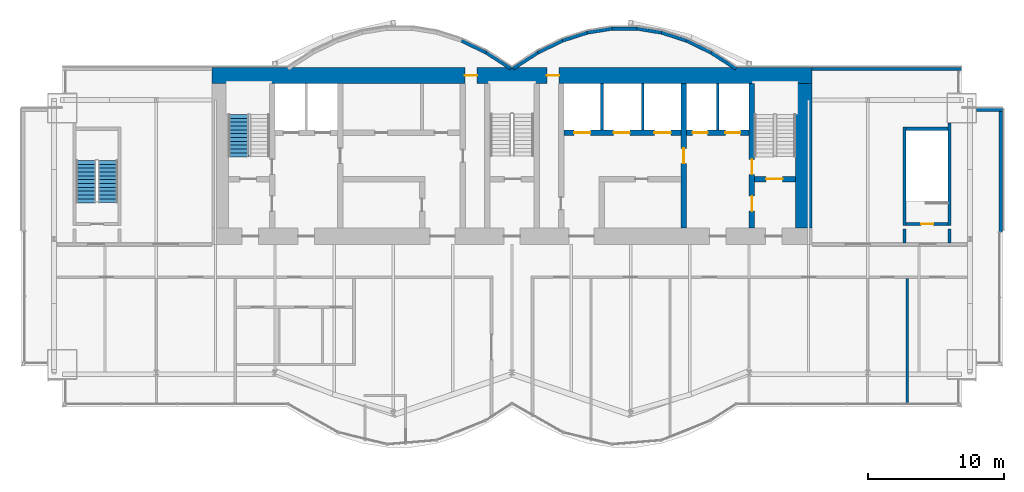
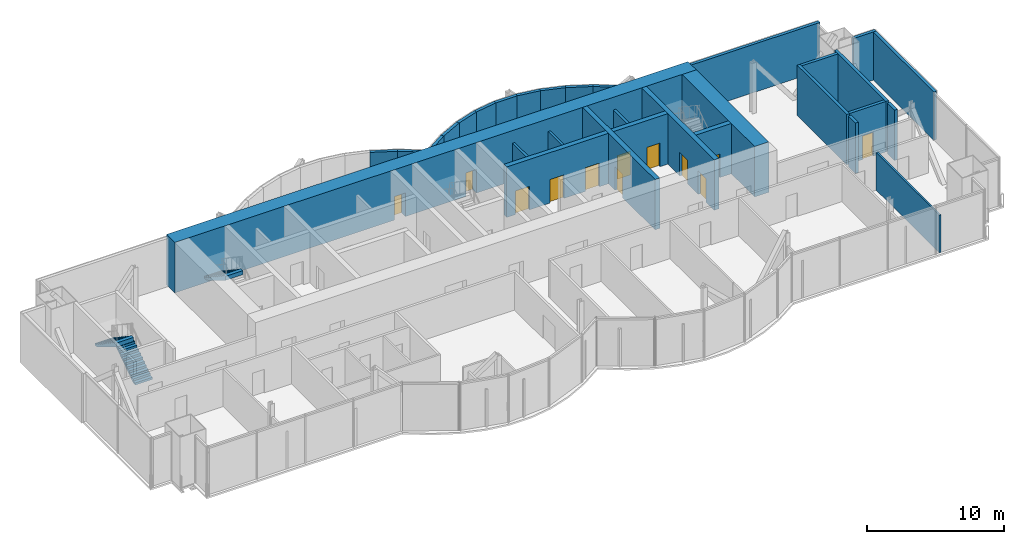
# One storey, part 12 of 16: 30 walls, 12 doors, 3 stair flights, 12 openings, 2 elements without a shape of their own.
"""IFC4 building model written with IfcOpenShell, lengths in metres."""

import ifcopenshell
import ifcopenshell.guid

model = None  # the IFC model being written
_history = None  # IfcOwnerHistory: only IFC2X3 demands one
_inside = {}  # id of a spatial element -> (the spatial element, [elements in it])
_under = {}  # id of a project, library or spatial element -> (it, [spatial elements below it])
_declared = {}  # id of a project -> (the project, [libraries it declares])
_typed = {}  # id of a type object -> (the type object, [elements of that type])
_made_of = {}  # id of a material, layer set ... -> (it, [elements and type objects made of it])


def new_model(schema):
    """Start an empty IFC model of exactly this schema.

    Asked for "IFC4X3", IfcOpenShell would pick the latest addendum, in which some entities
    have other attributes; the version numbers below select the first issue.
    IFC2X3 requires an IfcOwnerHistory on every rooted entity: one is made here for all.
    """
    global model, _history
    if schema == "IFC4X3":
        model = ifcopenshell.file(schema_version=(4, 3, 0, 0))
    else:
        model = ifcopenshell.file(schema=schema)
    _inside.clear()
    _under.clear()
    _declared.clear()
    _typed.clear()
    _made_of.clear()
    _history = None
    if model.schema == "IFC2X3":
        org = make("IfcOrganization", Name="unknown")
        user = make(
            "IfcPersonAndOrganization",
            ThePerson=make("IfcPerson", FamilyName="unknown"),
            TheOrganization=org,
        )
        app = make(
            "IfcApplication",
            ApplicationDeveloper=org,
            Version="unknown",
            ApplicationFullName="unknown",
            ApplicationIdentifier="unknown",
        )
        _history = make(
            "IfcOwnerHistory",
            OwningUser=user,
            OwningApplication=app,
            ChangeAction="ADDED",
            CreationDate=0,
        )
    return model


def make(cls, **values):
    """One entity of the class cls with the attributes given. An attribute that is None is left unset."""
    return model.create_entity(
        cls, **{name: value for name, value in values.items() if value is not None}
    )


def rooted(cls, **values):
    """An entity with a GlobalId (a new one), such as an element, a storey or a relation."""
    return make(cls, GlobalId=ifcopenshell.guid.new(), OwnerHistory=_history, **values)


def si_unit(unit_type, name, prefix=None):
    """IfcSIUnit, for example si_unit("LENGTHUNIT", "METRE", prefix="MILLI")."""
    return make("IfcSIUnit", UnitType=unit_type, Prefix=prefix, Name=name)


def assignment(units):
    """IfcUnitAssignment: the units of a project."""
    return None if units is None else make("IfcUnitAssignment", Units=units)


def point(xyz):
    """IfcCartesianPoint."""
    return None if xyz is None else make("IfcCartesianPoint", Coordinates=xyz)


def direction(xyz):
    """IfcDirection."""
    return None if xyz is None else make("IfcDirection", DirectionRatios=xyz)


def frame(location, z_axis=None, x_axis=None):
    """IfcAxis2Placement3D, a coordinate frame: its origin and axes. An axis left out is left unset."""
    return make(
        "IfcAxis2Placement3D",
        Location=point(location),
        Axis=direction(z_axis),
        RefDirection=direction(x_axis),
    )


def frame_2d(location, x_axis=None):
    """IfcAxis2Placement2D, a coordinate frame in the plane: its origin and x axis."""
    return make(
        "IfcAxis2Placement2D", Location=point(location), RefDirection=direction(x_axis)
    )


def origin():
    """The frame at (0, 0, 0) with its axes left unset."""
    return frame((0.0, 0.0, 0.0))


def place(relative_to, where):
    """IfcLocalPlacement: puts the frame where relative to a parent placement (None: the world)."""
    return make(
        "IfcLocalPlacement", PlacementRelTo=relative_to, RelativePlacement=where
    )


def context(
    kind, dimensions, precision=None, world=None, true_north=None, identifier=None
):
    """IfcGeometricRepresentationContext, for example the 3D "Model" context."""
    return make(
        "IfcGeometricRepresentationContext",
        ContextIdentifier=identifier,
        ContextType=kind,
        CoordinateSpaceDimension=dimensions,
        Precision=precision,
        WorldCoordinateSystem=world,
        TrueNorth=true_north,
    )


def subcontext(parent, identifier, kind, view, scale=None):
    """IfcGeometricRepresentationSubContext, for example "Body" below "Model"."""
    return make(
        "IfcGeometricRepresentationSubContext",
        ContextIdentifier=identifier,
        ContextType=kind,
        ParentContext=parent,
        TargetScale=scale,
        TargetView=view,
    )


def project(units=None, contexts=None):
    """IfcProject with its units and contexts."""
    return rooted(
        "IfcProject",
        Name="project",
        RepresentationContexts=contexts,
        UnitsInContext=assignment(units),
    )


def spatial(cls, under=None, at=None, **own):
    """A site, building, storey or space (cls), placed at a placement, below another one or the project."""
    s = rooted(cls, ObjectPlacement=at, **own)
    if under is not None:
        _under.setdefault(under.id(), (under, []))[1].append(s)
    return s


def polyline(points):
    """IfcPolyline through the points."""
    return make("IfcPolyline", Points=[point(p) for p in points])


def profile(cls, at=None, kind="AREA", **sizes):
    """A parametric profile (cls). Its sizes go by their IFC names, for example OverallWidth=200.0."""
    return make(cls, ProfileType=kind, Position=at, **sizes)


def rectangle(**sizes):
    """IfcRectangleProfileDef."""
    return profile("IfcRectangleProfileDef", **sizes)


def outline(outer, holes=None, kind="AREA"):
    """IfcArbitraryClosedProfileDef: a profile drawn as a closed curve; with holes, ...WithVoids."""
    if holes is None:
        return make("IfcArbitraryClosedProfileDef", ProfileType=kind, OuterCurve=outer)
    return make(
        "IfcArbitraryProfileDefWithVoids",
        ProfileType=kind,
        OuterCurve=outer,
        InnerCurves=holes,
    )


def extrude(swept, where, along, depth):
    """IfcExtrudedAreaSolid: the profile swept, set in the frame where, extruded along a direction by depth."""
    return make(
        "IfcExtrudedAreaSolid",
        SweptArea=swept,
        Position=where,
        ExtrudedDirection=direction(along),
        Depth=depth,
    )


def shape(context_of_items, identifier, shape_type, items):
    """IfcShapeRepresentation: the items that make up one representation, for example the "Body"."""
    return make(
        "IfcShapeRepresentation",
        ContextOfItems=context_of_items,
        RepresentationIdentifier=identifier,
        RepresentationType=shape_type,
        Items=items,
    )


def material(Name=None, Category=None):
    """IfcMaterial."""
    return make("IfcMaterial", Name=Name, Category=Category)


def layer(
    of_material, thickness, ventilated=None, Name=None, Category=None, Priority=None
):
    """IfcMaterialLayer: one layer of a wall or slab, of a material (None: an air gap)."""
    return make(
        "IfcMaterialLayer",
        Material=of_material,
        LayerThickness=thickness,
        IsVentilated=ventilated,
        Name=Name,
        Category=Category,
        Priority=Priority,
    )


def layer_set(layers, Name=None):
    """IfcMaterialLayerSet."""
    return make("IfcMaterialLayerSet", MaterialLayers=layers, LayerSetName=Name)


def layer_usage(for_layer_set, set_direction, sense, offset, extent=None):
    """IfcMaterialLayerSetUsage: how a layer set lies in its element."""
    return make(
        "IfcMaterialLayerSetUsage",
        ForLayerSet=for_layer_set,
        LayerSetDirection=set_direction,
        DirectionSense=sense,
        OffsetFromReferenceLine=offset,
        ReferenceExtent=extent,
    )


def made_of(thing, what):
    """Note that an element or type object is made of a material, layer set ...; save() writes the relation."""
    if what is not None:
        _made_of.setdefault(what.id(), (what, []))[1].append(thing)
    return thing


def type_object(cls, material=None, **own):
    """A type object (cls), such as IfcWallType, which elements share."""
    return made_of(rooted(cls, **own), material)


def element(
    cls,
    number,
    at=None,
    inside=None,
    cuts=None,
    type_object=None,
    material=None,
    context=None,
    identifier="Body",
    shape_type=None,
    held_by="IfcProductDefinitionShape",
    body=None,
    shapes=None,
    **own,
):
    """One element of the class cls, such as IfcWall. Its Tag is "e" and its number.

    at: its placement. inside: the storey or other place that contains it. cuts: it is an
    opening in that element (IfcRelVoidsElement). A single representation is given by context,
    identifier, shape_type and body (its items); several are given by shapes. held_by: the class
    of the entity that holds the representations. save() writes the other relations.
    """
    e = rooted(cls, Tag="e%d" % number, ObjectPlacement=at, **own)
    if body is not None:
        shapes = [shape(context, identifier, shape_type, body)]
    if shapes is not None:
        e.Representation = make(held_by, Representations=shapes)
    if inside is not None:
        _inside.setdefault(inside.id(), (inside, []))[1].append(e)
    if cuts is not None:
        rooted(
            "IfcRelVoidsElement", RelatingBuildingElement=cuts, RelatedOpeningElement=e
        )
    if type_object is not None:
        _typed.setdefault(type_object.id(), (type_object, []))[1].append(e)
    return made_of(e, material)


def fill(opening, filler):
    """IfcRelFillsElement: the door or window that sits in an opening."""
    return rooted(
        "IfcRelFillsElement",
        RelatingOpeningElement=opening,
        RelatedBuildingElement=filler,
    )


def aggregate(whole, parts):
    """IfcRelAggregates: a whole, such as a stair, and the parts it consists of."""
    return rooted("IfcRelAggregates", RelatingObject=whole, RelatedObjects=parts)


def save(model, path):
    """Write the relations noted so far, then the file.

    IfcRelAggregates (storeys below a building ...), IfcRelContainedInSpatialStructure (elements
    in a storey), IfcRelDefinesByType, IfcRelAssociatesMaterial and IfcRelDeclares: one each for
    every whole, place, type object, material and project.
    """
    for whole, parts in _under.values():
        aggregate(whole, parts)
    for where, things in _inside.values():
        rooted(
            "IfcRelContainedInSpatialStructure",
            RelatedElements=things,
            RelatingStructure=where,
        )
    for kind, things in _typed.values():
        rooted("IfcRelDefinesByType", RelatedObjects=things, RelatingType=kind)
    for what, things in _made_of.values():
        rooted("IfcRelAssociatesMaterial", RelatedObjects=things, RelatingMaterial=what)
    for by, libraries in _declared.values():
        rooted("IfcRelDeclares", RelatingContext=by, RelatedDefinitions=libraries)
    model.write(path)


model = new_model("IFC4")

# Units and contexts
model_context = context("Model", 3, precision=1e-05, world=origin(), true_north=direction((0.0, 1.0)))
body_context = subcontext(model_context, "Body", "Model", "MODEL_VIEW")
ifc_project = project(units=[si_unit("LENGTHUNIT", "METRE"), si_unit("AREAUNIT", "SQUARE_METRE"), si_unit("VOLUMEUNIT", "CUBIC_METRE"), si_unit("PLANEANGLEUNIT", "RADIAN"), si_unit("MASSUNIT", "GRAM", prefix="KILO")], contexts=[model_context])

# Site, building, storey
site_placement = place(None, origin())
site = spatial("IfcSite", under=ifc_project, at=site_placement, CompositionType="ELEMENT")
building_placement = place(site_placement, origin())
building = spatial("IfcBuilding", under=site, at=building_placement, Name="Bicima Exchange Tower", CompositionType="ELEMENT")
storey_placement = place(building_placement, frame((0.0, 0.0, 338.0)))
storey = spatial("IfcBuildingStorey", under=building, at=storey_placement, Name="L76", CompositionType="ELEMENT", Elevation=338.0)

# Walls
ifc_material_1 = material(Name="Gypsum board partition")
ifc_layer_1 = layer(ifc_material_1, 0.199951171875)
ifc_layer_set_1 = layer_set([ifc_layer_1], Name="Gypsum board partition")
wall_type_1 = type_object("IfcWallType", Name="Fire-rated gypsum partition 200 EI120", PredefinedType="PARTITIONING", material=ifc_layer_set_1)
for number, where, z_axis, x_axis, name in (
    (1, (6.60009765625, -4.60009765625, 0.0), (0.0, 0.0, 1.0), (0.0, 1.0, 0.0), "partition wall 18"),
    (2, (9.60009765625, -4.60009765625, 0.0), (0.0, 0.0, 1.0), (0.0, 1.0, 0.0), "partition wall 19"),
    (3, (15.10009765625, -4.60009765625, 0.0), (0.0, 0.0, 1.0), (0.0, 1.0, 0.0), "partition wall 21"),
):
    element("IfcWall", number, at=place(storey_placement, frame(where, z_axis=z_axis, x_axis=x_axis)), inside=storey, type_object=wall_type_1, Name=name, PredefinedType="PARTITIONING", context=body_context, shape_type="SweptSolid", body=[
        extrude(rectangle(XDim=3.400146484375, YDim=0.199951171875, at=frame_2d((1.7001953125, 0.0))), origin(), (0.0, 0.0, 1.0), 3.3681640625),
    ])
ifc_layer_2 = layer(ifc_material_1, 0.14990234375)
ifc_layer_set_2 = layer_set([ifc_layer_2], Name="Gypsum board partition")
wall_type_2 = type_object("IfcWallType", Name="Gypsum partition 150", PredefinedType="PARTITIONING", material=ifc_layer_set_2)
wall_1_placement = place(storey_placement, frame((29.0, -24.7099609375, 0.0), z_axis=(0.0, 0.0, 1.0), x_axis=(0.0, 1.0, 0.0)))
element("IfcWall", 4, at=wall_1_placement, inside=storey, type_object=wall_type_2, Name="partition wall 30", PredefinedType="PARTITIONING", context=body_context, shape_type="SweptSolid", body=[
    extrude(rectangle(XDim=9.2099609375, YDim=0.14990234375, at=frame_2d((4.60498046875, 0.0))), origin(), (0.0, 0.0, 1.0), 3.3681640625),
])

# Wall, openings, doors
ifc_material_2 = material(Name="Concrete C40/50", Category="concrete")
ifc_layer_3 = layer(ifc_material_2, 1.199951171875)
ifc_layer_set_3 = layer_set([ifc_layer_3], Name="Concrete C40/50")
wall_type_3 = type_object("IfcWallType", Name="RC core wall 1200 C40/50", PredefinedType="SHEAR", material=ifc_layer_set_3)
wall_2_placement = place(storey_placement, frame((-22.0, -0.60009765625, 0.0), z_axis=(0.0, 0.0, 1.0), x_axis=(1.0, 0.0, 0.0)))
wall_2 = element("IfcWall", 5, at=wall_2_placement, inside=storey, type_object=wall_type_3, Name="Core wall north", PredefinedType="SHEAR", context=body_context, shape_type="SweptSolid", body=[
    extrude(rectangle(XDim=44.0, YDim=1.199951171875, at=frame_2d((22.0, 0.0))), origin(), (0.0, 0.0, 1.0), 4.5),
])
opening_1_placement = place(wall_2_placement, frame((18.550048828125, 0.0, 0.0)))
opening_1 = element("IfcOpeningElement", 6, at=opening_1_placement, cuts=wall_2, Name="Opening L76-C16", PredefinedType="OPENING", context=body_context, shape_type="SweptSolid", body=[
    extrude(rectangle(XDim=0.89990234375, YDim=2.10009765625, at=frame_2d((0.449951171875, 1.050048828125))), frame((0.0, 0.61181640625, 0.0), z_axis=(0.0, -1.0, 0.0), x_axis=(1.0, 0.0, 0.0)), (0.0, 0.0, 1.0), 1.223876953125),
])
opening_2_placement = place(wall_2_placement, frame((24.550048828125, 0.0, 0.0)))
opening_2 = element("IfcOpeningElement", 7, at=opening_2_placement, cuts=wall_2, Name="Opening L76-C17", PredefinedType="OPENING", context=body_context, shape_type="SweptSolid", body=[
    extrude(rectangle(XDim=0.89990234375, YDim=2.10009765625, at=frame_2d((0.449951171875, 1.050048828125))), frame((0.0, 0.61181640625, 0.0), z_axis=(0.0, -1.0, 0.0), x_axis=(1.0, 0.0, 0.0)), (0.0, 0.0, 1.0), 1.223876953125),
])
ifc_material_3 = material(Name="Steel fire door leaf", Category="steel")
door_type_1 = type_object("IfcDoorType", Name="Door 900 swing FD30S", OperationType="SINGLE_SWING_LEFT", PredefinedType="DOOR", material=ifc_material_3)
door_1_placement = place(opening_1_placement, origin())
door_1 = element("IfcDoor", 8, at=door_1_placement, inside=storey, type_object=door_type_1, Name="Core door", OperationType="SINGLE_SWING_LEFT", OverallHeight=2.10009765625, OverallWidth=0.89990234375, PredefinedType="DOOR", context=body_context, shape_type="SweptSolid", body=[
    extrude(rectangle(XDim=0.89990234375, YDim=2.10009765625, at=frame_2d((0.449951171875, 1.050048828125))), frame((0.0, 0.02490234375, 0.0), z_axis=(0.0, -1.0, 0.0), x_axis=(1.0, 0.0, 0.0)), (0.0, 0.0, 1.0), 0.050048828125),
])
fill(opening_1, door_1)
door_2_placement = place(opening_2_placement, origin())
door_2 = element("IfcDoor", 9, at=door_2_placement, inside=storey, type_object=door_type_1, Name="Core door", OperationType="SINGLE_SWING_LEFT", OverallHeight=2.10009765625, OverallWidth=0.89990234375, PredefinedType="DOOR", context=body_context, shape_type="SweptSolid", body=[
    extrude(rectangle(XDim=0.89990234375, YDim=2.10009765625, at=frame_2d((0.449951171875, 1.050048828125))), frame((0.0, 0.02490234375, 0.0), z_axis=(0.0, -1.0, 0.0), x_axis=(1.0, 0.0, 0.0)), (0.0, 0.0, 1.0), 0.050048828125),
])
fill(opening_2, door_2)

# Walls
wall_3_placement = place(storey_placement, frame((21.39990234375, -11.800048828125, 0.0), z_axis=(0.0, 0.0, 1.0), x_axis=(0.0, 1.0, 0.0)))
element("IfcWall", 10, at=wall_3_placement, inside=storey, type_object=wall_type_3, Name="Core wall east", PredefinedType="SHEAR", context=body_context, shape_type="SweptSolid", body=[
    extrude(rectangle(XDim=10.60009765625, YDim=1.199951171875, at=frame_2d((5.300048828125, 0.0))), origin(), (0.0, 0.0, 1.0), 4.5),
])
ifc_material_4 = material(Name="Concrete C50/60", Category="concrete")
ifc_layer_4 = layer(ifc_material_4, 0.25)
ifc_layer_set_4 = layer_set([ifc_layer_4], Name="Concrete C50/60")
wall_type_4 = type_object("IfcWallType", Name="RC core wall 250 C50/60", PredefinedType="SHEAR", material=ifc_layer_set_4)
for number, where, z_axis, x_axis, name in (
    (11, (28.800048828125, -12.89990234375, 0.0), (0.0, 0.0, 1.0), (0.0, 1.0, 0.0), "stair wall 29"),
    (12, (32.10009765625, -12.89990234375, 0.0), (0.0, 0.0, 1.0), (0.0, 1.0, 0.0), "stair wall 31"),
):
    element("IfcWall", number, at=place(storey_placement, frame(where, z_axis=z_axis, x_axis=x_axis)), inside=storey, type_object=wall_type_4, Name=name, PredefinedType="SHEAR", context=body_context, shape_type="SweptSolid", body=[
        extrude(rectangle(XDim=1.0498046875, YDim=0.25, at=frame_2d((0.52490234375, 0.0))), origin(), (0.0, 0.0, 1.0), 4.5),
    ])

# Wall, openings, doors
ifc_layer_5 = layer(ifc_material_2, 0.39990234375)
ifc_layer_set_5 = layer_set([ifc_layer_5], Name="Concrete C40/50")
wall_type_5 = type_object("IfcWallType", Name="RC core wall 400 C40/50", PredefinedType="SHEAR", material=ifc_layer_set_5)
wall_4_placement = place(storey_placement, frame((3.800048828125, -4.800048828125, 0.0), z_axis=(0.0, 0.0, 1.0), x_axis=(1.0, 0.0, 0.0)))
wall_4 = element("IfcWall", 13, at=wall_4_placement, inside=storey, type_object=wall_type_5, Name="shear wall 7", PredefinedType="SHEAR", context=body_context, shape_type="SweptSolid", body=[
    extrude(rectangle(XDim=13.599853515625, YDim=0.39990234375, at=frame_2d((6.7998046875, 0.0))), origin(), (0.0, 0.0, 1.0), 4.5),
])
opening_3_placement = place(wall_4_placement, frame((0.75, 0.0, 0.0)))
opening_3 = element("IfcOpeningElement", 14, at=opening_3_placement, cuts=wall_4, Name="Opening LD-HB1-L76", PredefinedType="OPENING", context=body_context, shape_type="SweptSolid", body=[
    extrude(rectangle(XDim=1.199951171875, YDim=2.10009765625, at=frame_2d((0.60009765625, 1.050048828125))), frame((0.0, 0.2119140625, 0.0), z_axis=(0.0, -1.0, 0.0), x_axis=(1.0, 0.0, 0.0)), (0.0, 0.0, 1.0), 0.423828125),
])
opening_4_placement = place(wall_4_placement, frame((3.64990234375, 0.0, 0.0)))
opening_4 = element("IfcOpeningElement", 15, at=opening_4_placement, cuts=wall_4, Name="Opening LD-HB2-L76", PredefinedType="OPENING", context=body_context, shape_type="SweptSolid", body=[
    extrude(rectangle(XDim=1.199951171875, YDim=2.10009765625, at=frame_2d((0.60009765625, 1.050048828125))), frame((0.0, 0.2119140625, 0.0), z_axis=(0.0, -1.0, 0.0), x_axis=(1.0, 0.0, 0.0)), (0.0, 0.0, 1.0), 0.423828125),
])
opening_5_placement = place(wall_4_placement, frame((6.64990234375, 0.0, 0.0)))
opening_5 = element("IfcOpeningElement", 16, at=opening_5_placement, cuts=wall_4, Name="Opening LD-HB3-L76", PredefinedType="OPENING", context=body_context, shape_type="SweptSolid", body=[
    extrude(rectangle(XDim=1.199951171875, YDim=2.10009765625, at=frame_2d((0.60009765625, 1.050048828125))), frame((0.0, 0.2119140625, 0.0), z_axis=(0.0, -1.0, 0.0), x_axis=(1.0, 0.0, 0.0)), (0.0, 0.0, 1.0), 0.423828125),
])
opening_6_placement = place(wall_4_placement, frame((9.449951171875, 0.0, 0.0)))
opening_6 = element("IfcOpeningElement", 17, at=opening_6_placement, cuts=wall_4, Name="Opening LD-FF2-L76", PredefinedType="OPENING", context=body_context, shape_type="SweptSolid", body=[
    extrude(rectangle(XDim=1.10009765625, YDim=2.10009765625, at=frame_2d((0.550048828125, 1.050048828125))), frame((0.0, 0.2119140625, 0.0), z_axis=(0.0, -1.0, 0.0), x_axis=(1.0, 0.0, 0.0)), (0.0, 0.0, 1.0), 0.423828125),
])
opening_7_placement = place(wall_4_placement, frame((11.85009765625, 0.0, 0.0)))
opening_7 = element("IfcOpeningElement", 18, at=opening_7_placement, cuts=wall_4, Name="Opening LD-SV1-L76", PredefinedType="OPENING", context=body_context, shape_type="SweptSolid", body=[
    extrude(rectangle(XDim=1.10009765625, YDim=2.10009765625, at=frame_2d((0.550048828125, 1.050048828125))), frame((0.0, 0.2119140625, 0.0), z_axis=(0.0, -1.0, 0.0), x_axis=(1.0, 0.0, 0.0)), (0.0, 0.0, 1.0), 0.423828125),
])
ifc_material_5 = material(Name="Stainless steel", Category="steel")
door_type_2 = type_object("IfcDoorType", Name="Lift landing door 1100 sliding", OperationType="DOUBLE_DOOR_SLIDING", PredefinedType="DOOR", material=ifc_material_5)
door_3_placement = place(opening_6_placement, origin())
door_3 = element("IfcDoor", 19, at=door_3_placement, inside=storey, type_object=door_type_2, Name="Lift landing door FF2", OperationType="DOUBLE_DOOR_SLIDING", OverallHeight=2.10009765625, OverallWidth=1.10009765625, PredefinedType="DOOR", context=body_context, shape_type="SweptSolid", body=[
    extrude(rectangle(XDim=1.10009765625, YDim=2.10009765625, at=frame_2d((0.550048828125, 1.050048828125))), frame((0.0, 0.02490234375, 0.0), z_axis=(0.0, -1.0, 0.0), x_axis=(1.0, 0.0, 0.0)), (0.0, 0.0, 1.0), 0.050048828125),
])
fill(opening_6, door_3)
door_4_placement = place(opening_7_placement, origin())
door_4 = element("IfcDoor", 20, at=door_4_placement, inside=storey, type_object=door_type_2, Name="Lift landing door SV1", OperationType="DOUBLE_DOOR_SLIDING", OverallHeight=2.10009765625, OverallWidth=1.10009765625, PredefinedType="DOOR", context=body_context, shape_type="SweptSolid", body=[
    extrude(rectangle(XDim=1.10009765625, YDim=2.10009765625, at=frame_2d((0.550048828125, 1.050048828125))), frame((0.0, 0.02490234375, 0.0), z_axis=(0.0, -1.0, 0.0), x_axis=(1.0, 0.0, 0.0)), (0.0, 0.0, 1.0), 0.050048828125),
])
fill(opening_7, door_4)
door_type_3 = type_object("IfcDoorType", Name="Lift landing door 1200 sliding", OperationType="DOUBLE_DOOR_SLIDING", PredefinedType="DOOR", material=ifc_material_5)
door_5_placement = place(opening_3_placement, origin())
door_5 = element("IfcDoor", 21, at=door_5_placement, inside=storey, type_object=door_type_3, Name="Lift landing door HB1", OperationType="DOUBLE_DOOR_SLIDING", OverallHeight=2.10009765625, OverallWidth=1.199951171875, PredefinedType="DOOR", context=body_context, shape_type="SweptSolid", body=[
    extrude(rectangle(XDim=1.199951171875, YDim=2.10009765625, at=frame_2d((0.60009765625, 1.050048828125))), frame((0.0, 0.02490234375, 0.0), z_axis=(0.0, -1.0, 0.0), x_axis=(1.0, 0.0, 0.0)), (0.0, 0.0, 1.0), 0.050048828125),
])
fill(opening_3, door_5)
door_6_placement = place(opening_4_placement, origin())
door_6 = element("IfcDoor", 22, at=door_6_placement, inside=storey, type_object=door_type_3, Name="Lift landing door HB2", OperationType="DOUBLE_DOOR_SLIDING", OverallHeight=2.10009765625, OverallWidth=1.199951171875, PredefinedType="DOOR", context=body_context, shape_type="SweptSolid", body=[
    extrude(rectangle(XDim=1.199951171875, YDim=2.10009765625, at=frame_2d((0.60009765625, 1.050048828125))), frame((0.0, 0.02490234375, 0.0), z_axis=(0.0, -1.0, 0.0), x_axis=(1.0, 0.0, 0.0)), (0.0, 0.0, 1.0), 0.050048828125),
])
fill(opening_4, door_6)
door_7_placement = place(opening_5_placement, origin())
door_7 = element("IfcDoor", 23, at=door_7_placement, inside=storey, type_object=door_type_3, Name="Lift landing door HB3", OperationType="DOUBLE_DOOR_SLIDING", OverallHeight=2.10009765625, OverallWidth=1.199951171875, PredefinedType="DOOR", context=body_context, shape_type="SweptSolid", body=[
    extrude(rectangle(XDim=1.199951171875, YDim=2.10009765625, at=frame_2d((0.60009765625, 1.050048828125))), frame((0.0, 0.02490234375, 0.0), z_axis=(0.0, -1.0, 0.0), x_axis=(1.0, 0.0, 0.0)), (0.0, 0.0, 1.0), 0.050048828125),
])
fill(opening_5, door_7)

# Wall, opening, door
wall_5_placement = place(storey_placement, frame((12.60009765625, -11.800048828125, 0.0), z_axis=(0.0, 0.0, 1.0), x_axis=(0.0, 1.0, 0.0)))
wall_5 = element("IfcWall", 24, at=wall_5_placement, inside=storey, type_object=wall_type_5, Name="shear wall 20", PredefinedType="SHEAR", context=body_context, shape_type="SweptSolid", body=[
    extrude(rectangle(XDim=10.60009765625, YDim=0.39990234375, at=frame_2d((5.300048828125, 0.0))), origin(), (0.0, 0.0, 1.0), 4.5),
])
opening_8_placement = place(wall_5_placement, frame((4.75, 0.0, 0.0)))
opening_8 = element("IfcOpeningElement", 25, at=opening_8_placement, cuts=wall_5, Name="Opening L76-C09", PredefinedType="OPENING", context=body_context, shape_type="SweptSolid", body=[
    extrude(rectangle(XDim=1.10009765625, YDim=2.10009765625, at=frame_2d((0.550048828125, 1.050048828125))), frame((0.0, 0.2119140625, 0.0), z_axis=(0.0, -1.0, 0.0), x_axis=(1.0, 0.0, 0.0)), (0.0, 0.0, 1.0), 0.423828125),
])
door_type_4 = type_object("IfcDoorType", Name="Door 1100 swing FD60S", OperationType="SINGLE_SWING_LEFT", PredefinedType="DOOR", material=ifc_material_3)
door_8_placement = place(opening_8_placement, frame((1.10009765625, 0.0, 0.0), z_axis=(0.0, 0.0, 1.0), x_axis=(-1.0, 0.0, 0.0)))
door_8 = element("IfcDoor", 26, at=door_8_placement, inside=storey, type_object=door_type_4, Name="Core door", OperationType="SINGLE_SWING_RIGHT", OverallHeight=2.10009765625, OverallWidth=1.10009765625, PredefinedType="DOOR", context=body_context, shape_type="SweptSolid", body=[
    extrude(rectangle(XDim=1.10009765625, YDim=2.10009765625, at=frame_2d((0.550048828125, 1.050048828125))), frame((0.0, 0.02490234375, 0.0), z_axis=(0.0, -1.0, 0.0), x_axis=(1.0, 0.0, 0.0)), (0.0, 0.0, 1.0), 0.050048828125),
])
fill(opening_8, door_8)

ifc_layer_6 = layer(ifc_material_4, 0.39990234375)
ifc_layer_set_6 = layer_set([ifc_layer_6], Name="Concrete C50/60")
wall_type_6 = type_object("IfcWallType", Name="RC core wall 400 C50/60", PredefinedType="SHEAR", material=ifc_layer_set_6)
wall_6_placement = place(storey_placement, frame((17.800048828125, -8.199951171875, 0.0), z_axis=(0.0, 0.0, 1.0), x_axis=(1.0, 0.0, 0.0)))
wall_6 = element("IfcWall", 27, at=wall_6_placement, inside=storey, type_object=wall_type_6, Name="stair wall 5", PredefinedType="SHEAR", context=body_context, shape_type="SweptSolid", body=[
    extrude(rectangle(XDim=3.0, YDim=0.39990234375, at=frame_2d((1.5, 0.0))), origin(), (0.0, 0.0, 1.0), 4.5),
])
opening_9_placement = place(wall_6_placement, frame((0.85009765625, 0.0, 0.0)))
opening_9 = element("IfcOpeningElement", 28, at=opening_9_placement, cuts=wall_6, Name="Opening L76-C04", PredefinedType="OPENING", context=body_context, shape_type="SweptSolid", body=[
    extrude(rectangle(XDim=1.199951171875, YDim=2.10009765625, at=frame_2d((0.60009765625, 1.050048828125))), frame((0.0, 0.2119140625, 0.0), z_axis=(0.0, -1.0, 0.0), x_axis=(1.0, 0.0, 0.0)), (0.0, 0.0, 1.0), 0.423828125),
])
door_type_5 = type_object("IfcDoorType", Name="Door 1200 swing FD60S", OperationType="SINGLE_SWING_LEFT", PredefinedType="DOOR", material=ifc_material_3)
door_9_placement = place(opening_9_placement, origin())
door_9 = element("IfcDoor", 29, at=door_9_placement, inside=storey, type_object=door_type_5, Name="Core door", OperationType="SINGLE_SWING_RIGHT", OverallHeight=2.10009765625, OverallWidth=1.199951171875, PredefinedType="DOOR", context=body_context, shape_type="SweptSolid", body=[
    extrude(rectangle(XDim=1.199951171875, YDim=2.10009765625, at=frame_2d((0.60009765625, 1.050048828125))), frame((0.0, 0.02490234375, 0.0), z_axis=(0.0, -1.0, 0.0), x_axis=(1.0, 0.0, 0.0)), (0.0, 0.0, 1.0), 0.050048828125),
])
fill(opening_9, door_9)

# Wall, openings, doors
wall_7_placement = place(storey_placement, frame((17.60009765625, -11.800048828125, 0.0), z_axis=(0.0, 0.0, 1.0), x_axis=(0.0, 1.0, 0.0)))
wall_7 = element("IfcWall", 30, at=wall_7_placement, inside=storey, type_object=wall_type_6, Name="stair wall 22", PredefinedType="SHEAR", context=body_context, shape_type="SweptSolid", body=[
    extrude(rectangle(XDim=10.60009765625, YDim=0.39990234375, at=frame_2d((5.300048828125, 0.0))), origin(), (0.0, 0.0, 1.0), 4.5),
])
opening_10_placement = place(wall_7_placement, frame((1.25, 0.0, 0.0)))
opening_10 = element("IfcOpeningElement", 31, at=opening_10_placement, cuts=wall_7, Name="Opening L76-C05", PredefinedType="OPENING", context=body_context, shape_type="SweptSolid", body=[
    extrude(rectangle(XDim=1.10009765625, YDim=2.10009765625, at=frame_2d((0.550048828125, 1.050048828125))), frame((0.0, 0.2119140625, 0.0), z_axis=(0.0, -1.0, 0.0), x_axis=(1.0, 0.0, 0.0)), (0.0, 0.0, 1.0), 0.423828125),
])
opening_11_placement = place(wall_7_placement, frame((3.949951171875, 0.0, 0.0)))
opening_11 = element("IfcOpeningElement", 32, at=opening_11_placement, cuts=wall_7, Name="Opening L76-C08", PredefinedType="OPENING", context=body_context, shape_type="SweptSolid", body=[
    extrude(rectangle(XDim=1.10009765625, YDim=2.10009765625, at=frame_2d((0.550048828125, 1.050048828125))), frame((0.0, 0.2119140625, 0.0), z_axis=(0.0, -1.0, 0.0), x_axis=(1.0, 0.0, 0.0)), (0.0, 0.0, 1.0), 0.423828125),
])
door_10_placement = place(opening_10_placement, origin())
door_10 = element("IfcDoor", 33, at=door_10_placement, inside=storey, type_object=door_type_4, Name="Core door", OperationType="SINGLE_SWING_LEFT", OverallHeight=2.10009765625, OverallWidth=1.10009765625, PredefinedType="DOOR", context=body_context, shape_type="SweptSolid", body=[
    extrude(rectangle(XDim=1.10009765625, YDim=2.10009765625, at=frame_2d((0.550048828125, 1.050048828125))), frame((0.0, 0.02490234375, 0.0), z_axis=(0.0, -1.0, 0.0), x_axis=(1.0, 0.0, 0.0)), (0.0, 0.0, 1.0), 0.050048828125),
])
fill(opening_10, door_10)
door_11_placement = place(opening_11_placement, origin())
door_11 = element("IfcDoor", 34, at=door_11_placement, inside=storey, type_object=door_type_4, Name="Core door", OperationType="SINGLE_SWING_RIGHT", OverallHeight=2.10009765625, OverallWidth=1.10009765625, PredefinedType="DOOR", context=body_context, shape_type="SweptSolid", body=[
    extrude(rectangle(XDim=1.10009765625, YDim=2.10009765625, at=frame_2d((0.550048828125, 1.050048828125))), frame((0.0, 0.02490234375, 0.0), z_axis=(0.0, -1.0, 0.0), x_axis=(1.0, 0.0, 0.0)), (0.0, 0.0, 1.0), 0.050048828125),
])
fill(opening_11, door_11)

# Walls
ifc_layer_7 = layer(ifc_material_4, 0.25)
ifc_layer_set_7 = layer_set([ifc_layer_7], Name="Concrete C50/60")
wall_type_7 = type_object("IfcWallType", Name="RC stair enclosure wall 250 C50/60", PredefinedType="SHEAR", material=ifc_layer_set_7)
wall_8_placement = place(storey_placement, frame((28.800048828125, -11.625, 0.0), z_axis=(0.0, 0.0, 1.0), x_axis=(0.0, 1.0, 0.0)))
element("IfcWall", 35, at=wall_8_placement, inside=storey, type_object=wall_type_7, Name="East end exit stair wall W", PredefinedType="SHEAR", context=body_context, shape_type="SweptSolid", body=[
    extrude(rectangle(XDim=7.25, YDim=0.25, at=frame_2d((3.625, 0.0))), origin(), (0.0, 0.0, 1.0), 4.5),
])
wall_9_placement = place(storey_placement, frame((32.10009765625, -11.625, 0.0), z_axis=(0.0, 0.0, 1.0), x_axis=(0.0, 1.0, 0.0)))
element("IfcWall", 36, at=wall_9_placement, inside=storey, type_object=wall_type_7, Name="East end exit stair wall E", PredefinedType="SHEAR", context=body_context, shape_type="SweptSolid", body=[
    extrude(rectangle(XDim=7.52490234375, YDim=0.25, at=frame_2d((3.762451171875, 0.0))), origin(), (0.0, 0.0, 1.0), 4.5),
])

# Wall, opening, door
wall_10_placement = place(storey_placement, frame((28.925048828125, -11.5, 0.0), z_axis=(0.0, 0.0, 1.0), x_axis=(1.0, 0.0, 0.0)))
wall_10 = element("IfcWall", 37, at=wall_10_placement, inside=storey, type_object=wall_type_7, Name="East end exit stair wall S", PredefinedType="SHEAR", context=body_context, shape_type="SweptSolid", body=[
    extrude(rectangle(XDim=3.050048828125, YDim=0.25, at=frame_2d((1.52490234375, 0.0))), origin(), (0.0, 0.0, 1.0), 4.5),
])
opening_12_placement = place(wall_10_placement, frame((1.10009765625, 0.0, 0.0)))
opening_12 = element("IfcOpeningElement", 38, at=opening_12_placement, cuts=wall_10, Name="Opening L76-004", PredefinedType="OPENING", context=body_context, shape_type="SweptSolid", body=[
    extrude(rectangle(XDim=0.89990234375, YDim=2.10009765625, at=frame_2d((0.449951171875, 1.050048828125))), frame((0.0, 0.136962890625, 0.0), z_axis=(0.0, -1.0, 0.0), x_axis=(1.0, 0.0, 0.0)), (0.0, 0.0, 1.0), 0.27392578125),
])
door_type_6 = type_object("IfcDoorType", Name="Door 900 swing FD60S", OperationType="SINGLE_SWING_LEFT", PredefinedType="DOOR", material=ifc_material_3)
door_12_placement = place(opening_12_placement, origin())
door_12 = element("IfcDoor", 39, at=door_12_placement, inside=storey, type_object=door_type_6, Name="Door", OperationType="SINGLE_SWING_LEFT", OverallHeight=2.10009765625, OverallWidth=0.89990234375, PredefinedType="DOOR", context=body_context, shape_type="SweptSolid", body=[
    extrude(rectangle(XDim=0.89990234375, YDim=2.10009765625, at=frame_2d((0.449951171875, 1.050048828125))), frame((0.0, 0.02490234375, 0.0), z_axis=(0.0, -1.0, 0.0), x_axis=(1.0, 0.0, 0.0)), (0.0, 0.0, 1.0), 0.050048828125),
])
fill(opening_12, door_12)

# Walls
wall_11_placement = place(storey_placement, frame((28.925048828125, -4.5, 0.0), z_axis=(0.0, 0.0, 1.0), x_axis=(1.0, 0.0, 0.0)))
element("IfcWall", 40, at=wall_11_placement, inside=storey, type_object=wall_type_7, Name="East end exit stair wall N", PredefinedType="SHEAR", context=body_context, shape_type="SweptSolid", body=[
    extrude(rectangle(XDim=3.050048828125, YDim=0.25, at=frame_2d((1.52490234375, 0.0))), origin(), (0.0, 0.0, 1.0), 4.5),
])
ifc_layer_8 = layer(ifc_material_2, 0.25)
ifc_layer_set_8 = layer_set([ifc_layer_8], Name="Concrete C40/50")
ifc_layer_usage = layer_usage(ifc_layer_set_8, "AXIS2", "POSITIVE", -0.125)
wall_type_8 = type_object("IfcWallType", Name="Rear backup wall 250", PredefinedType="STANDARD", material=ifc_layer_set_8)
wall_12_placement = place(storey_placement, frame((33.0, -0.125, 0.0), z_axis=(0.0, 0.0, 1.0), x_axis=(-1.0, 0.0, 0.0)))
element("IfcWall", 41, at=wall_12_placement, inside=storey, type_object=wall_type_8, material=ifc_layer_usage, Name="Rear backup wall L76 1", PredefinedType="STANDARD", context=body_context, shape_type="SweptSolid", body=[
    extrude(rectangle(XDim=11.0, YDim=0.25, at=frame_2d((5.5, 0.0))), origin(), (0.0, 0.0, 1.0), 4.300048828125),
])
wall_13_placement = place(storey_placement, frame((16.43212890625, -0.10498046875, 0.0), z_axis=(0.0, 0.0, 1.0), x_axis=(-0.83981312244, 0.542875602121, 0.0)))
element("IfcWall", 42, at=wall_13_placement, inside=storey, type_object=wall_type_8, material=ifc_layer_usage, Name="Rear backup wall L76 2", PredefinedType="STANDARD", context=body_context, shape_type="SweptSolid", body=[
    extrude(rectangle(XDim=2.182861328125, YDim=0.25, at=frame_2d((1.09130859375, 0.0))), origin(), (0.0, 0.0, 1.0), 4.300048828125),
])
wall_14_placement = place(storey_placement, frame((14.6123046875, 1.07275390625, 0.0), z_axis=(0.0, 0.0, 1.0), x_axis=(-0.89982408427, 0.436252928206, 0.0)))
element("IfcWall", 43, at=wall_14_placement, inside=storey, type_object=wall_type_8, material=ifc_layer_usage, Name="Rear backup wall L76 3", PredefinedType="STANDARD", context=body_context, shape_type="SweptSolid", body=[
    extrude(rectangle(XDim=2.03759765625, YDim=0.25, at=frame_2d((1.018798828125, 0.0))), origin(), (0.0, 0.0, 1.0), 4.300048828125),
])
wall_15_placement = place(storey_placement, frame((12.794921875, 1.955078125, 0.0), z_axis=(0.0, 0.0, 1.0), x_axis=(-0.951495806175, 0.307661714928, 0.0)))
element("IfcWall", 44, at=wall_15_placement, inside=storey, type_object=wall_type_8, material=ifc_layer_usage, Name="Rear backup wall L76 4", PredefinedType="STANDARD", context=body_context, shape_type="SweptSolid", body=[
    extrude(rectangle(XDim=1.9267578125, YDim=0.25, at=frame_2d((0.96337890625, 0.0))), origin(), (0.0, 0.0, 1.0), 4.300048828125),
])
wall_16_placement = place(storey_placement, frame((10.97998046875, 2.543212890625, 0.0), z_axis=(0.0, 0.0, 1.0), x_axis=(-0.987181718931, 0.159600293885, 0.0)))
element("IfcWall", 45, at=wall_16_placement, inside=storey, type_object=wall_type_8, material=ifc_layer_usage, Name="Rear backup wall L76 5", PredefinedType="STANDARD", context=body_context, shape_type="SweptSolid", body=[
    extrude(rectangle(XDim=1.857177734375, YDim=0.25, at=frame_2d((0.9287109375, 0.0))), origin(), (0.0, 0.0, 1.0), 4.300048828125),
])
wall_17_placement = place(storey_placement, frame((9.166748046875, 2.837890625, 0.0), z_axis=(0.0, 0.0, 1.0), x_axis=(-1.0, 0.0, 0.0)))
element("IfcWall", 46, at=wall_17_placement, inside=storey, type_object=wall_type_8, material=ifc_layer_usage, Name="Rear backup wall L76 6", PredefinedType="STANDARD", context=body_context, shape_type="SweptSolid", body=[
    extrude(rectangle(XDim=1.83349609375, YDim=0.25, at=frame_2d((0.916748046875, 0.0))), origin(), (0.0, 0.0, 1.0), 4.300048828125),
])
wall_18_placement = place(storey_placement, frame((7.353271484375, 2.839599609375, 0.0), z_axis=(0.0, 0.0, 1.0), x_axis=(-0.987181718931, -0.159600293885, 0.0)))
element("IfcWall", 47, at=wall_18_placement, inside=storey, type_object=wall_type_8, material=ifc_layer_usage, Name="Rear backup wall L76 7", PredefinedType="STANDARD", context=body_context, shape_type="SweptSolid", body=[
    extrude(rectangle(XDim=1.857177734375, YDim=0.25, at=frame_2d((0.9287109375, 0.0))), origin(), (0.0, 0.0, 1.0), 4.300048828125),
])
wall_19_placement = place(storey_placement, frame((5.538330078125, 2.5478515625, 0.0), z_axis=(0.0, 0.0, 1.0), x_axis=(-0.951495806175, -0.307661714928, 0.0)))
element("IfcWall", 48, at=wall_19_placement, inside=storey, type_object=wall_type_8, material=ifc_layer_usage, Name="Rear backup wall L76 8", PredefinedType="STANDARD", context=body_context, shape_type="SweptSolid", body=[
    extrude(rectangle(XDim=1.9267578125, YDim=0.25, at=frame_2d((0.96337890625, 0.0))), origin(), (0.0, 0.0, 1.0), 4.300048828125),
])
wall_20_placement = place(storey_placement, frame((3.72119140625, 1.961669921875, 0.0), z_axis=(0.0, 0.0, 1.0), x_axis=(-0.89982408427, -0.436252928206, 0.0)))
element("IfcWall", 49, at=wall_20_placement, inside=storey, type_object=wall_type_8, material=ifc_layer_usage, Name="Rear backup wall L76 9", PredefinedType="STANDARD", context=body_context, shape_type="SweptSolid", body=[
    extrude(rectangle(XDim=2.03759765625, YDim=0.25, at=frame_2d((1.018798828125, 0.0))), origin(), (0.0, 0.0, 1.0), 4.300048828125),
])
for number, where, z_axis, x_axis, name in (
    (50, (1.901123046875, 1.080078125, 0.0), (0.0, 0.0, 1.0), (-0.83981312244, -0.542875602121, 0.0), "Rear backup wall L76 10"),
    (51, (-0.06787109375, -0.10498046875, 0.0), (0.0, 0.0, 1.0), (-0.83981312244, 0.542875602121, 0.0), "Rear backup wall L76 11"),
):
    element("IfcWall", number, at=place(storey_placement, frame(where, z_axis=z_axis, x_axis=x_axis)), inside=storey, type_object=wall_type_8, material=ifc_layer_usage, Name=name, PredefinedType="STANDARD", context=body_context, shape_type="SweptSolid", body=[
        extrude(rectangle(XDim=2.182861328125, YDim=0.25, at=frame_2d((1.09130859375, 0.0))), origin(), (0.0, 0.0, 1.0), 4.300048828125),
    ])
wall_21_placement = place(storey_placement, frame((-1.8876953125, 1.07275390625, 0.0), z_axis=(0.0, 0.0, 1.0), x_axis=(-0.89982408427, 0.436252928206, 0.0)))
element("IfcWall", 52, at=wall_21_placement, inside=storey, type_object=wall_type_8, material=ifc_layer_usage, Name="Rear backup wall L76 12", PredefinedType="STANDARD", context=body_context, shape_type="SweptSolid", body=[
    extrude(rectangle(XDim=2.03759765625, YDim=0.25, at=frame_2d((1.018798828125, 0.0))), origin(), (0.0, 0.0, 1.0), 4.300048828125),
])
wall_22_placement = place(storey_placement, frame((35.875, -12.090087890625, 0.0), z_axis=(0.0, 0.0, 1.0), x_axis=(0.0, 1.0, 0.0)))
element("IfcWall", 53, at=wall_22_placement, inside=storey, type_object=wall_type_8, material=ifc_layer_usage, Name="Rear backup wall L76 50", PredefinedType="STANDARD", context=body_context, shape_type="SweptSolid", body=[
    extrude(rectangle(XDim=9.090087890625, YDim=0.25, at=frame_2d((4.544921875, 0.0))), origin(), (0.0, 0.0, 1.0), 4.300048828125),
])
wall_23_placement = place(storey_placement, frame((36.0, -3.125, 0.0), z_axis=(0.0, 0.0, 1.0), x_axis=(-1.0, 0.0, 0.0)))
element("IfcWall", 54, at=wall_23_placement, inside=storey, type_object=wall_type_8, material=ifc_layer_usage, Name="Rear backup wall L76 51", PredefinedType="STANDARD", context=body_context, shape_type="SweptSolid", body=[
    extrude(rectangle(XDim=1.89990234375, YDim=0.25, at=frame_2d((0.949951171875, 0.0))), origin(), (0.0, 0.0, 1.0), 4.300048828125),
])

# Stair, stair flight
stair_type = type_object("IfcStairType", Name="Exit stair", PredefinedType="HALF_TURN_STAIR", material=ifc_material_4)
stair_1_placement = place(storey_placement, origin())
stair_1 = element("IfcStair", 55, at=stair_1_placement, inside=storey, type_object=stair_type, Name="L76 West exit stair", PredefinedType="HALF_TURN_STAIR")
stair_flight_type = type_object("IfcStairFlightType", Name="Stair flight RC", PredefinedType="STRAIGHT", material=ifc_material_4)
stair_flight_1_placement = place(storey_placement, frame((-20.074951171875, -3.469970703125, 2.25), z_axis=(0.0, 0.0, 1.0), x_axis=(0.0, -1.0, 0.0)))
stair_flight_1 = element("IfcStairFlight", 56, at=stair_flight_1_placement, type_object=stair_flight_type, Name="ST-W flight 2", NumberOfRisers=12, NumberOfTreads=11, PredefinedType="STRAIGHT", RiserHeight=0.1875, TreadLength=0.28, context=body_context, shape_type="SweptSolid", body=[
    extrude(outline(polyline([(0.0, 0.0), (0.0, 0.1875), (0.280029296875, 0.1875), (0.280029296875, 0.375), (0.56005859375, 0.375), (0.56005859375, 0.5625), (0.840087890625, 0.5625), (0.840087890625, 0.75), (1.1201171875, 0.75), (1.1201171875, 0.9375), (1.39990234375, 0.9375), (1.39990234375, 1.125), (1.679931640625, 1.125), (1.679931640625, 1.3125), (1.9599609375, 1.3125), (1.9599609375, 1.5), (2.239990234375, 1.5), (2.239990234375, 1.6875), (2.52001953125, 1.6875), (2.52001953125, 1.875), (2.800048828125, 1.875), (2.800048828125, 2.0625), (3.080078125, 2.0625), (3.094970703125, 2.0625), (3.094970703125, 1.70458984375), (0.26953125, 0.0), (0.0, 0.0)])), frame((0.0, 0.72509765625, 0.0), z_axis=(0.0, -1.0, 0.0), x_axis=(1.0, 0.0, 0.0)), (0.0, 0.0, 1.0), 1.449951171875),
])
aggregate(stair_1, [stair_flight_1])

# Stair, stair flights
stair_2_placement = place(storey_placement, origin())
stair_2 = element("IfcStair", 57, at=stair_2_placement, inside=storey, type_object=stair_type, Name="L76 West end exit stair", PredefinedType="HALF_TURN_STAIR")
stair_flight_2_placement = place(storey_placement, frame((-29.64990234375, -9.925048828125, 0.0), z_axis=(0.0, 0.0, 1.0), x_axis=(0.0, 1.0, 0.0)))
stair_flight_2 = element("IfcStairFlight", 58, at=stair_flight_2_placement, type_object=stair_flight_type, Name="ST-WW flight 1", NumberOfRisers=12, NumberOfTreads=11, PredefinedType="STRAIGHT", RiserHeight=0.1875, TreadLength=0.28, context=body_context, shape_type="SweptSolid", body=[
    extrude(outline(polyline([(0.0, 0.0), (0.0, 0.1875), (0.280029296875, 0.1875), (0.280029296875, 0.375), (0.56005859375, 0.375), (0.56005859375, 0.5625), (0.840087890625, 0.5625), (0.840087890625, 0.75), (1.1201171875, 0.75), (1.1201171875, 0.9375), (1.39990234375, 0.9375), (1.39990234375, 1.125), (1.679931640625, 1.125), (1.679931640625, 1.3125), (1.9599609375, 1.3125), (1.9599609375, 1.5), (2.239990234375, 1.5), (2.239990234375, 1.6875), (2.52001953125, 1.6875), (2.52001953125, 1.875), (2.800048828125, 1.875), (2.800048828125, 2.0625), (3.080078125, 2.0625), (3.080078125, 2.25), (3.080078125, 1.882080078125), (0.26953125, 0.0), (0.0, 0.0)])), frame((0.0, 0.72509765625, 0.0), z_axis=(0.0, -1.0, 0.0), x_axis=(1.0, 0.0, 0.0)), (0.0, 0.0, 1.0), 1.449951171875),
])
stair_flight_3_placement = place(storey_placement, frame((-31.25, -6.844970703125, 2.25), z_axis=(0.0, 0.0, 1.0), x_axis=(0.0, -1.0, 0.0)))
stair_flight_3 = element("IfcStairFlight", 59, at=stair_flight_3_placement, type_object=stair_flight_type, Name="ST-WW flight 2", NumberOfRisers=12, NumberOfTreads=11, PredefinedType="STRAIGHT", RiserHeight=0.1875, TreadLength=0.28, context=body_context, shape_type="SweptSolid", body=[
    extrude(outline(polyline([(0.0, 0.0), (0.0, 0.1875), (0.280029296875, 0.1875), (0.280029296875, 0.375), (0.56005859375, 0.375), (0.56005859375, 0.5625), (0.840087890625, 0.5625), (0.840087890625, 0.75), (1.1201171875, 0.75), (1.1201171875, 0.9375), (1.39990234375, 0.9375), (1.39990234375, 1.125), (1.679931640625, 1.125), (1.679931640625, 1.3125), (1.9599609375, 1.3125), (1.9599609375, 1.5), (2.239990234375, 1.5), (2.239990234375, 1.6875), (2.52001953125, 1.6875), (2.52001953125, 1.875), (2.800048828125, 1.875), (2.800048828125, 2.0625), (3.080078125, 2.0625), (3.094970703125, 2.0625), (3.094970703125, 1.70458984375), (0.26953125, 0.0), (0.0, 0.0)])), frame((0.0, 0.72509765625, 0.0), z_axis=(0.0, -1.0, 0.0), x_axis=(1.0, 0.0, 0.0)), (0.0, 0.0, 1.0), 1.449951171875),
])
aggregate(stair_2, [stair_flight_2, stair_flight_3])

save(model, "model.ifc")
